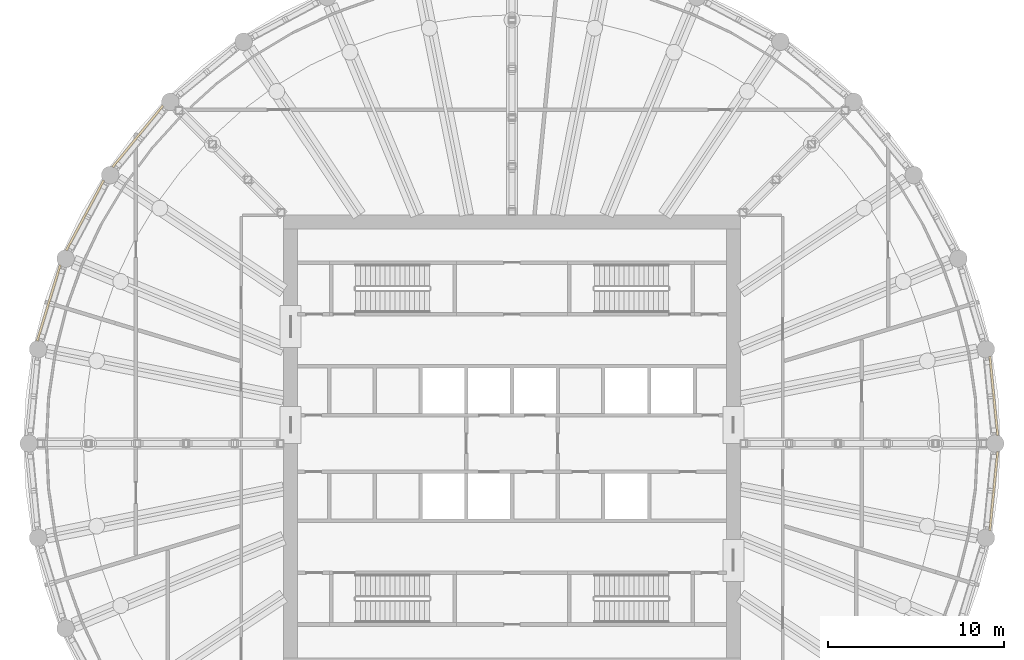
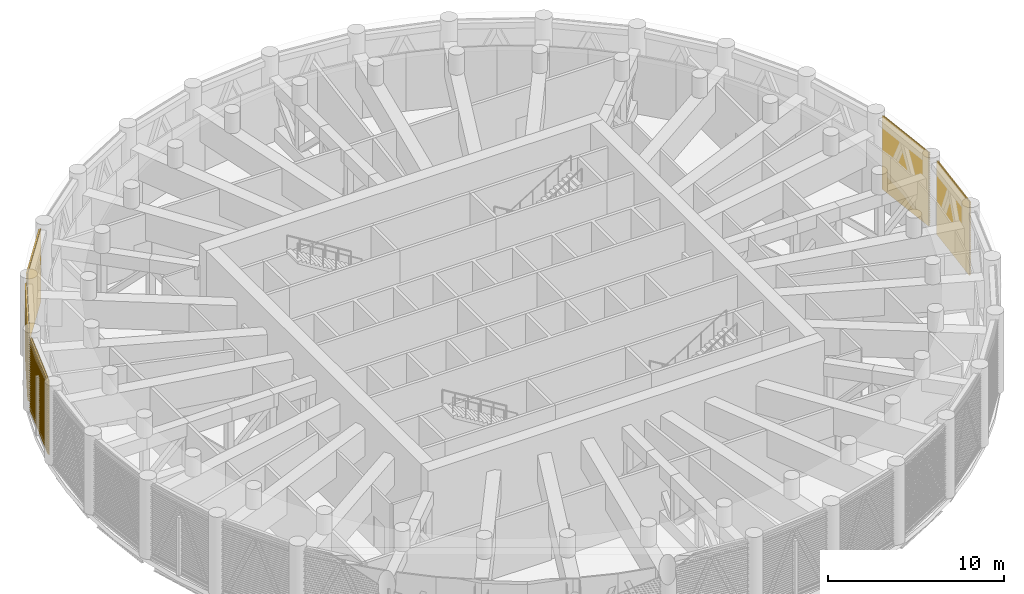
# One storey, part 21 of 24: 5 shading devices, 5 elements without a shape of their own.
"""IFC4 building model written with IfcOpenShell, lengths in metres."""

from ifc_helpers import new_model, si_unit, direction, frame, origin, place, context, subcontext, project, spatial, polyline, outline, extrude, material, material_profile, profile_set, type_object, element, aggregate, save


model = new_model("IFC4")

# Units and contexts
model_context = context("Model", 3, precision=1e-05, world=origin(), true_north=direction((0.0, 1.0)))
body_context = subcontext(model_context, "Body", "Model", "MODEL_VIEW")
ifc_project = project(units=[si_unit("LENGTHUNIT", "METRE"), si_unit("AREAUNIT", "SQUARE_METRE"), si_unit("VOLUMEUNIT", "CUBIC_METRE"), si_unit("PLANEANGLEUNIT", "RADIAN"), si_unit("MASSUNIT", "GRAM", prefix="KILO")], contexts=[model_context])

# Site, building, storey
site_placement = place(None, origin())
site = spatial("IfcSite", under=ifc_project, at=site_placement, CompositionType="ELEMENT")
building_placement = place(site_placement, origin())
building = spatial("IfcBuilding", under=site, at=building_placement, Name="Corvane Civic Tower", CompositionType="ELEMENT")
storey_placement = place(building_placement, frame((0.0, 0.0, 257.5)))
storey = spatial("IfcBuildingStorey", under=building, at=storey_placement, Name="L61", CompositionType="ELEMENT", Elevation=257.5)

# Curtain wall, shading device
ifc_material_1 = material(Name="Anodised aluminium bronze", Category="aluminium")
curtain_wall_type = type_object("IfcCurtainWallType", Name="TOWER CW-LV LOUVRE SCREEN WALL", PredefinedType="NOTDEFINED", material=ifc_material_1)
curtain_wall_1_placement = place(storey_placement, origin())
curtain_wall_1 = element("IfcCurtainWall", 1, at=curtain_wall_1_placement, inside=storey, type_object=curtain_wall_type, Name="Louvre screen wall CW-LV L61 bay 08", PredefinedType="NOTDEFINED")
ifc_material_2 = material(Name="Anodised aluminium bronze", Category="aluminium")
ifc_material_profile = material_profile(ifc_material_2, outline(polyline([(-0.06005859375, -2.56494140625), (-0.0400390625, -2.56494140625), (0.06005859375, -2.492919921875), (0.06005859375, -2.472900390625), (-0.0400390625, -2.544921875), (-0.0400390625, -2.4140625), (0.06005859375, -2.342041015625), (0.06005859375, -2.322021484375), (-0.0400390625, -2.39404296875), (-0.0400390625, -2.26318359375), (0.06005859375, -2.191162109375), (0.06005859375, -2.171142578125), (-0.0400390625, -2.2431640625), (-0.0400390625, -2.1123046875), (0.06005859375, -2.040283203125), (0.06005859375, -2.0205078125), (-0.0400390625, -2.09228515625), (-0.0400390625, -1.96142578125), (0.06005859375, -1.889404296875), (0.06005859375, -1.869384765625), (-0.0400390625, -1.94140625), (-0.0400390625, -1.810546875), (0.06005859375, -1.738525390625), (0.06005859375, -1.718505859375), (-0.0400390625, -1.79052734375), (-0.0400390625, -1.65966796875), (0.06005859375, -1.587646484375), (0.06005859375, -1.567626953125), (-0.0400390625, -1.6396484375), (-0.0400390625, -1.5087890625), (0.06005859375, -1.436767578125), (0.06005859375, -1.416748046875), (-0.0400390625, -1.48876953125), (-0.0400390625, -1.35791015625), (0.06005859375, -1.285888671875), (0.06005859375, -1.265869140625), (-0.0400390625, -1.337890625), (-0.0400390625, -1.20703125), (0.06005859375, -1.135009765625), (0.06005859375, -1.114990234375), (-0.0400390625, -1.18701171875), (-0.0400390625, -1.05615234375), (0.06005859375, -0.984130859375), (0.06005859375, -0.964111328125), (-0.0400390625, -1.0361328125), (-0.0400390625, -0.9052734375), (0.06005859375, -0.833251953125), (0.06005859375, -0.813232421875), (-0.0400390625, -0.88525390625), (-0.0400390625, -0.75439453125), (0.06005859375, -0.682373046875), (0.06005859375, -0.662353515625), (-0.0400390625, -0.734375), (-0.0400390625, -0.603515625), (0.06005859375, -0.531494140625), (0.06005859375, -0.511474609375), (-0.0400390625, -0.58349609375), (-0.0400390625, -0.45263671875), (0.06005859375, -0.380615234375), (0.06005859375, -0.360595703125), (-0.0400390625, -0.4326171875), (-0.0400390625, -0.3017578125), (0.06005859375, -0.229736328125), (0.06005859375, -0.209716796875), (-0.0400390625, -0.28173828125), (-0.0400390625, -0.15087890625), (0.06005859375, -0.078857421875), (0.06005859375, -0.058837890625), (-0.0400390625, -0.130859375), (-0.0400390625, 0.0), (0.06005859375, 0.072021484375), (0.06005859375, 0.092041015625), (-0.0400390625, 0.02001953125), (-0.0400390625, 0.15087890625), (0.06005859375, 0.222900390625), (0.06005859375, 0.242919921875), (-0.0400390625, 0.1708984375), (-0.0400390625, 0.3017578125), (0.06005859375, 0.373779296875), (0.06005859375, 0.393798828125), (-0.0400390625, 0.32177734375), (-0.0400390625, 0.45263671875), (0.06005859375, 0.524658203125), (0.06005859375, 0.544677734375), (-0.0400390625, 0.47265625), (-0.0400390625, 0.603515625), (0.06005859375, 0.675537109375), (0.06005859375, 0.695556640625), (-0.0400390625, 0.62353515625), (-0.0400390625, 0.75439453125), (0.06005859375, 0.826416015625), (0.06005859375, 0.846435546875), (-0.0400390625, 0.7744140625), (-0.0400390625, 0.9052734375), (0.06005859375, 0.977294921875), (0.06005859375, 0.997314453125), (-0.0400390625, 0.92529296875), (-0.0400390625, 1.05615234375), (0.06005859375, 1.128173828125), (0.06005859375, 1.148193359375), (-0.0400390625, 1.076171875), (-0.0400390625, 1.20703125), (0.06005859375, 1.279052734375), (0.06005859375, 1.299072265625), (-0.0400390625, 1.22705078125), (-0.0400390625, 1.35791015625), (0.06005859375, 1.429931640625), (0.06005859375, 1.449951171875), (-0.0400390625, 1.3779296875), (-0.0400390625, 1.5087890625), (0.06005859375, 1.580810546875), (0.06005859375, 1.600830078125), (-0.0400390625, 1.52880859375), (-0.0400390625, 1.65966796875), (0.06005859375, 1.731689453125), (0.06005859375, 1.751708984375), (-0.0400390625, 1.6796875), (-0.0400390625, 1.810546875), (0.06005859375, 1.882568359375), (0.06005859375, 1.902587890625), (-0.0400390625, 1.83056640625), (-0.0400390625, 1.96142578125), (0.06005859375, 2.033447265625), (0.06005859375, 2.053466796875), (-0.0400390625, 1.9814453125), (-0.0400390625, 2.1123046875), (0.06005859375, 2.184326171875), (0.06005859375, 2.204345703125), (-0.0400390625, 2.13232421875), (-0.0400390625, 2.26318359375), (0.06005859375, 2.335205078125), (0.06005859375, 2.355224609375), (-0.0400390625, 2.283203125), (-0.0400390625, 2.4140625), (0.06005859375, 2.486083984375), (0.06005859375, 2.506103515625), (-0.0400390625, 2.43408203125), (-0.0400390625, 2.56494140625), (-0.06005859375, 2.56494140625), (-0.06005859375, -2.56494140625)])), Name="TOWER LOUVRE BANK 5130 BRONZE")
ifc_profile_set = profile_set([ifc_material_profile], Name="Anodised aluminium bronze")
shading_device_type = type_object("IfcShadingDeviceType", Name="TOWER LOUVRE BANK 5130 BRONZE", PredefinedType="USERDEFINED", material=ifc_profile_set)
shading_device_1_placement = place(storey_placement, frame((27.192626953125, 4.94775390625, 2.68505859375), z_axis=(0.098042715701, -0.995182207386, 0.0), x_axis=(0.995182207386, 0.098042715701, 0.0)))
shading_device_1 = element("IfcShadingDevice", 2, at=shading_device_1_placement, type_object=shading_device_type, Name="Louvre bank L61 08.1", ObjectType="LOUVRE", PredefinedType="USERDEFINED", context=body_context, shape_type="SweptSolid", body=[
    extrude(outline(polyline([(-0.06005859375, -2.56494140625), (-0.0400390625, -2.56494140625), (0.06005859375, -2.492919921875), (0.06005859375, -2.472900390625), (-0.0400390625, -2.544921875), (-0.0400390625, -2.4140625), (0.06005859375, -2.342041015625), (0.06005859375, -2.322021484375), (-0.0400390625, -2.39404296875), (-0.0400390625, -2.26318359375), (0.06005859375, -2.191162109375), (0.06005859375, -2.171142578125), (-0.0400390625, -2.2431640625), (-0.0400390625, -2.1123046875), (0.06005859375, -2.040283203125), (0.06005859375, -2.0205078125), (-0.0400390625, -2.09228515625), (-0.0400390625, -1.96142578125), (0.06005859375, -1.889404296875), (0.06005859375, -1.869384765625), (-0.0400390625, -1.94140625), (-0.0400390625, -1.810546875), (0.06005859375, -1.738525390625), (0.06005859375, -1.718505859375), (-0.0400390625, -1.79052734375), (-0.0400390625, -1.65966796875), (0.06005859375, -1.587646484375), (0.06005859375, -1.567626953125), (-0.0400390625, -1.6396484375), (-0.0400390625, -1.5087890625), (0.06005859375, -1.436767578125), (0.06005859375, -1.416748046875), (-0.0400390625, -1.48876953125), (-0.0400390625, -1.35791015625), (0.06005859375, -1.285888671875), (0.06005859375, -1.265869140625), (-0.0400390625, -1.337890625), (-0.0400390625, -1.20703125), (0.06005859375, -1.135009765625), (0.06005859375, -1.114990234375), (-0.0400390625, -1.18701171875), (-0.0400390625, -1.05615234375), (0.06005859375, -0.984130859375), (0.06005859375, -0.964111328125), (-0.0400390625, -1.0361328125), (-0.0400390625, -0.9052734375), (0.06005859375, -0.833251953125), (0.06005859375, -0.813232421875), (-0.0400390625, -0.88525390625), (-0.0400390625, -0.75439453125), (0.06005859375, -0.682373046875), (0.06005859375, -0.662353515625), (-0.0400390625, -0.734375), (-0.0400390625, -0.603515625), (0.06005859375, -0.531494140625), (0.06005859375, -0.511474609375), (-0.0400390625, -0.58349609375), (-0.0400390625, -0.45263671875), (0.06005859375, -0.380615234375), (0.06005859375, -0.360595703125), (-0.0400390625, -0.4326171875), (-0.0400390625, -0.3017578125), (0.06005859375, -0.229736328125), (0.06005859375, -0.209716796875), (-0.0400390625, -0.28173828125), (-0.0400390625, -0.15087890625), (0.06005859375, -0.078857421875), (0.06005859375, -0.058837890625), (-0.0400390625, -0.130859375), (-0.0400390625, 0.0), (0.06005859375, 0.072021484375), (0.06005859375, 0.092041015625), (-0.0400390625, 0.02001953125), (-0.0400390625, 0.15087890625), (0.06005859375, 0.222900390625), (0.06005859375, 0.242919921875), (-0.0400390625, 0.1708984375), (-0.0400390625, 0.3017578125), (0.06005859375, 0.373779296875), (0.06005859375, 0.393798828125), (-0.0400390625, 0.32177734375), (-0.0400390625, 0.45263671875), (0.06005859375, 0.524658203125), (0.06005859375, 0.544677734375), (-0.0400390625, 0.47265625), (-0.0400390625, 0.603515625), (0.06005859375, 0.675537109375), (0.06005859375, 0.695556640625), (-0.0400390625, 0.62353515625), (-0.0400390625, 0.75439453125), (0.06005859375, 0.826416015625), (0.06005859375, 0.846435546875), (-0.0400390625, 0.7744140625), (-0.0400390625, 0.9052734375), (0.06005859375, 0.977294921875), (0.06005859375, 0.997314453125), (-0.0400390625, 0.92529296875), (-0.0400390625, 1.05615234375), (0.06005859375, 1.128173828125), (0.06005859375, 1.148193359375), (-0.0400390625, 1.076171875), (-0.0400390625, 1.20703125), (0.06005859375, 1.279052734375), (0.06005859375, 1.299072265625), (-0.0400390625, 1.22705078125), (-0.0400390625, 1.35791015625), (0.06005859375, 1.429931640625), (0.06005859375, 1.449951171875), (-0.0400390625, 1.3779296875), (-0.0400390625, 1.5087890625), (0.06005859375, 1.580810546875), (0.06005859375, 1.600830078125), (-0.0400390625, 1.52880859375), (-0.0400390625, 1.65966796875), (0.06005859375, 1.731689453125), (0.06005859375, 1.751708984375), (-0.0400390625, 1.6796875), (-0.0400390625, 1.810546875), (0.06005859375, 1.882568359375), (0.06005859375, 1.902587890625), (-0.0400390625, 1.83056640625), (-0.0400390625, 1.96142578125), (0.06005859375, 2.033447265625), (0.06005859375, 2.053466796875), (-0.0400390625, 1.9814453125), (-0.0400390625, 2.1123046875), (0.06005859375, 2.184326171875), (0.06005859375, 2.204345703125), (-0.0400390625, 2.13232421875), (-0.0400390625, 2.26318359375), (0.06005859375, 2.335205078125), (0.06005859375, 2.355224609375), (-0.0400390625, 2.283203125), (-0.0400390625, 2.4140625), (0.06005859375, 2.486083984375), (0.06005859375, 2.506103515625), (-0.0400390625, 2.43408203125), (-0.0400390625, 2.56494140625), (-0.06005859375, 2.56494140625), (-0.06005859375, -2.56494140625)])), origin(), (0.0, 0.0, 1.0), 4.51708984375),
])
aggregate(curtain_wall_1, [shading_device_1])

curtain_wall_2_placement = place(storey_placement, origin())
curtain_wall_2 = element("IfcCurtainWall", 3, at=curtain_wall_2_placement, inside=storey, type_object=curtain_wall_type, Name="Louvre screen wall CW-LV L61 bay 09", PredefinedType="NOTDEFINED")
shading_device_2_placement = place(storey_placement, frame((27.635498046875, -0.452392578125, 2.68505859375), z_axis=(-0.098042715701, -0.995182207386, 0.0), x_axis=(0.995182207386, -0.098042715701, 0.0)))
shading_device_2 = element("IfcShadingDevice", 4, at=shading_device_2_placement, type_object=shading_device_type, Name="Louvre bank L61 09.1", ObjectType="LOUVRE", PredefinedType="USERDEFINED", context=body_context, shape_type="SweptSolid", body=[
    extrude(outline(polyline([(-0.06005859375, -2.56494140625), (-0.0400390625, -2.56494140625), (0.06005859375, -2.492919921875), (0.06005859375, -2.472900390625), (-0.0400390625, -2.544921875), (-0.0400390625, -2.4140625), (0.06005859375, -2.342041015625), (0.06005859375, -2.322021484375), (-0.0400390625, -2.39404296875), (-0.0400390625, -2.26318359375), (0.06005859375, -2.191162109375), (0.06005859375, -2.171142578125), (-0.0400390625, -2.2431640625), (-0.0400390625, -2.1123046875), (0.06005859375, -2.040283203125), (0.06005859375, -2.0205078125), (-0.0400390625, -2.09228515625), (-0.0400390625, -1.96142578125), (0.06005859375, -1.889404296875), (0.06005859375, -1.869384765625), (-0.0400390625, -1.94140625), (-0.0400390625, -1.810546875), (0.06005859375, -1.738525390625), (0.06005859375, -1.718505859375), (-0.0400390625, -1.79052734375), (-0.0400390625, -1.65966796875), (0.06005859375, -1.587646484375), (0.06005859375, -1.567626953125), (-0.0400390625, -1.6396484375), (-0.0400390625, -1.5087890625), (0.06005859375, -1.436767578125), (0.06005859375, -1.416748046875), (-0.0400390625, -1.48876953125), (-0.0400390625, -1.35791015625), (0.06005859375, -1.285888671875), (0.06005859375, -1.265869140625), (-0.0400390625, -1.337890625), (-0.0400390625, -1.20703125), (0.06005859375, -1.135009765625), (0.06005859375, -1.114990234375), (-0.0400390625, -1.18701171875), (-0.0400390625, -1.05615234375), (0.06005859375, -0.984130859375), (0.06005859375, -0.964111328125), (-0.0400390625, -1.0361328125), (-0.0400390625, -0.9052734375), (0.06005859375, -0.833251953125), (0.06005859375, -0.813232421875), (-0.0400390625, -0.88525390625), (-0.0400390625, -0.75439453125), (0.06005859375, -0.682373046875), (0.06005859375, -0.662353515625), (-0.0400390625, -0.734375), (-0.0400390625, -0.603515625), (0.06005859375, -0.531494140625), (0.06005859375, -0.511474609375), (-0.0400390625, -0.58349609375), (-0.0400390625, -0.45263671875), (0.06005859375, -0.380615234375), (0.06005859375, -0.360595703125), (-0.0400390625, -0.4326171875), (-0.0400390625, -0.3017578125), (0.06005859375, -0.229736328125), (0.06005859375, -0.209716796875), (-0.0400390625, -0.28173828125), (-0.0400390625, -0.15087890625), (0.06005859375, -0.078857421875), (0.06005859375, -0.058837890625), (-0.0400390625, -0.130859375), (-0.0400390625, 0.0), (0.06005859375, 0.072021484375), (0.06005859375, 0.092041015625), (-0.0400390625, 0.02001953125), (-0.0400390625, 0.15087890625), (0.06005859375, 0.222900390625), (0.06005859375, 0.242919921875), (-0.0400390625, 0.1708984375), (-0.0400390625, 0.3017578125), (0.06005859375, 0.373779296875), (0.06005859375, 0.393798828125), (-0.0400390625, 0.32177734375), (-0.0400390625, 0.45263671875), (0.06005859375, 0.524658203125), (0.06005859375, 0.544677734375), (-0.0400390625, 0.47265625), (-0.0400390625, 0.603515625), (0.06005859375, 0.675537109375), (0.06005859375, 0.695556640625), (-0.0400390625, 0.62353515625), (-0.0400390625, 0.75439453125), (0.06005859375, 0.826416015625), (0.06005859375, 0.846435546875), (-0.0400390625, 0.7744140625), (-0.0400390625, 0.9052734375), (0.06005859375, 0.977294921875), (0.06005859375, 0.997314453125), (-0.0400390625, 0.92529296875), (-0.0400390625, 1.05615234375), (0.06005859375, 1.128173828125), (0.06005859375, 1.148193359375), (-0.0400390625, 1.076171875), (-0.0400390625, 1.20703125), (0.06005859375, 1.279052734375), (0.06005859375, 1.299072265625), (-0.0400390625, 1.22705078125), (-0.0400390625, 1.35791015625), (0.06005859375, 1.429931640625), (0.06005859375, 1.449951171875), (-0.0400390625, 1.3779296875), (-0.0400390625, 1.5087890625), (0.06005859375, 1.580810546875), (0.06005859375, 1.600830078125), (-0.0400390625, 1.52880859375), (-0.0400390625, 1.65966796875), (0.06005859375, 1.731689453125), (0.06005859375, 1.751708984375), (-0.0400390625, 1.6796875), (-0.0400390625, 1.810546875), (0.06005859375, 1.882568359375), (0.06005859375, 1.902587890625), (-0.0400390625, 1.83056640625), (-0.0400390625, 1.96142578125), (0.06005859375, 2.033447265625), (0.06005859375, 2.053466796875), (-0.0400390625, 1.9814453125), (-0.0400390625, 2.1123046875), (0.06005859375, 2.184326171875), (0.06005859375, 2.204345703125), (-0.0400390625, 2.13232421875), (-0.0400390625, 2.26318359375), (0.06005859375, 2.335205078125), (0.06005859375, 2.355224609375), (-0.0400390625, 2.283203125), (-0.0400390625, 2.4140625), (0.06005859375, 2.486083984375), (0.06005859375, 2.506103515625), (-0.0400390625, 2.43408203125), (-0.0400390625, 2.56494140625), (-0.06005859375, 2.56494140625), (-0.06005859375, -2.56494140625)])), origin(), (0.0, 0.0, 1.0), 4.51708984375),
])
aggregate(curtain_wall_2, [shading_device_2])

curtain_wall_3_placement = place(storey_placement, origin())
curtain_wall_3 = element("IfcCurtainWall", 5, at=curtain_wall_3_placement, inside=storey, type_object=curtain_wall_type, Name="Louvre screen wall CW-LV L61 bay 26", PredefinedType="NOTDEFINED")
shading_device_3_placement = place(storey_placement, frame((-27.016357421875, 5.8349609375, 2.68505859375), z_axis=(0.2902818869, 0.956941182173, 0.0), x_axis=(-0.956941182173, 0.2902818869, 0.0)))
shading_device_3 = element("IfcShadingDevice", 6, at=shading_device_3_placement, type_object=shading_device_type, Name="Louvre bank L61 26.1", ObjectType="LOUVRE", PredefinedType="USERDEFINED", context=body_context, shape_type="SweptSolid", body=[
    extrude(outline(polyline([(-0.06005859375, -2.56494140625), (-0.0400390625, -2.56494140625), (0.06005859375, -2.492919921875), (0.06005859375, -2.472900390625), (-0.0400390625, -2.544921875), (-0.0400390625, -2.4140625), (0.06005859375, -2.342041015625), (0.06005859375, -2.322021484375), (-0.0400390625, -2.39404296875), (-0.0400390625, -2.26318359375), (0.06005859375, -2.191162109375), (0.06005859375, -2.171142578125), (-0.0400390625, -2.2431640625), (-0.0400390625, -2.1123046875), (0.06005859375, -2.040283203125), (0.06005859375, -2.0205078125), (-0.0400390625, -2.09228515625), (-0.0400390625, -1.96142578125), (0.06005859375, -1.889404296875), (0.06005859375, -1.869384765625), (-0.0400390625, -1.94140625), (-0.0400390625, -1.810546875), (0.06005859375, -1.738525390625), (0.06005859375, -1.718505859375), (-0.0400390625, -1.79052734375), (-0.0400390625, -1.65966796875), (0.06005859375, -1.587646484375), (0.06005859375, -1.567626953125), (-0.0400390625, -1.6396484375), (-0.0400390625, -1.5087890625), (0.06005859375, -1.436767578125), (0.06005859375, -1.416748046875), (-0.0400390625, -1.48876953125), (-0.0400390625, -1.35791015625), (0.06005859375, -1.285888671875), (0.06005859375, -1.265869140625), (-0.0400390625, -1.337890625), (-0.0400390625, -1.20703125), (0.06005859375, -1.135009765625), (0.06005859375, -1.114990234375), (-0.0400390625, -1.18701171875), (-0.0400390625, -1.05615234375), (0.06005859375, -0.984130859375), (0.06005859375, -0.964111328125), (-0.0400390625, -1.0361328125), (-0.0400390625, -0.9052734375), (0.06005859375, -0.833251953125), (0.06005859375, -0.813232421875), (-0.0400390625, -0.88525390625), (-0.0400390625, -0.75439453125), (0.06005859375, -0.682373046875), (0.06005859375, -0.662353515625), (-0.0400390625, -0.734375), (-0.0400390625, -0.603515625), (0.06005859375, -0.531494140625), (0.06005859375, -0.511474609375), (-0.0400390625, -0.58349609375), (-0.0400390625, -0.45263671875), (0.06005859375, -0.380615234375), (0.06005859375, -0.360595703125), (-0.0400390625, -0.4326171875), (-0.0400390625, -0.3017578125), (0.06005859375, -0.229736328125), (0.06005859375, -0.209716796875), (-0.0400390625, -0.28173828125), (-0.0400390625, -0.15087890625), (0.06005859375, -0.078857421875), (0.06005859375, -0.058837890625), (-0.0400390625, -0.130859375), (-0.0400390625, 0.0), (0.06005859375, 0.072021484375), (0.06005859375, 0.092041015625), (-0.0400390625, 0.02001953125), (-0.0400390625, 0.15087890625), (0.06005859375, 0.222900390625), (0.06005859375, 0.242919921875), (-0.0400390625, 0.1708984375), (-0.0400390625, 0.3017578125), (0.06005859375, 0.373779296875), (0.06005859375, 0.393798828125), (-0.0400390625, 0.32177734375), (-0.0400390625, 0.45263671875), (0.06005859375, 0.524658203125), (0.06005859375, 0.544677734375), (-0.0400390625, 0.47265625), (-0.0400390625, 0.603515625), (0.06005859375, 0.675537109375), (0.06005859375, 0.695556640625), (-0.0400390625, 0.62353515625), (-0.0400390625, 0.75439453125), (0.06005859375, 0.826416015625), (0.06005859375, 0.846435546875), (-0.0400390625, 0.7744140625), (-0.0400390625, 0.9052734375), (0.06005859375, 0.977294921875), (0.06005859375, 0.997314453125), (-0.0400390625, 0.92529296875), (-0.0400390625, 1.05615234375), (0.06005859375, 1.128173828125), (0.06005859375, 1.148193359375), (-0.0400390625, 1.076171875), (-0.0400390625, 1.20703125), (0.06005859375, 1.279052734375), (0.06005859375, 1.299072265625), (-0.0400390625, 1.22705078125), (-0.0400390625, 1.35791015625), (0.06005859375, 1.429931640625), (0.06005859375, 1.449951171875), (-0.0400390625, 1.3779296875), (-0.0400390625, 1.5087890625), (0.06005859375, 1.580810546875), (0.06005859375, 1.600830078125), (-0.0400390625, 1.52880859375), (-0.0400390625, 1.65966796875), (0.06005859375, 1.731689453125), (0.06005859375, 1.751708984375), (-0.0400390625, 1.6796875), (-0.0400390625, 1.810546875), (0.06005859375, 1.882568359375), (0.06005859375, 1.902587890625), (-0.0400390625, 1.83056640625), (-0.0400390625, 1.96142578125), (0.06005859375, 2.033447265625), (0.06005859375, 2.053466796875), (-0.0400390625, 1.9814453125), (-0.0400390625, 2.1123046875), (0.06005859375, 2.184326171875), (0.06005859375, 2.204345703125), (-0.0400390625, 2.13232421875), (-0.0400390625, 2.26318359375), (0.06005859375, 2.335205078125), (0.06005859375, 2.355224609375), (-0.0400390625, 2.283203125), (-0.0400390625, 2.4140625), (0.06005859375, 2.486083984375), (0.06005859375, 2.506103515625), (-0.0400390625, 2.43408203125), (-0.0400390625, 2.56494140625), (-0.06005859375, 2.56494140625), (-0.06005859375, -2.56494140625)])), origin(), (0.0, 0.0, 1.0), 4.517333984375),
])
aggregate(curtain_wall_3, [shading_device_3])

curtain_wall_4_placement = place(storey_placement, origin())
curtain_wall_4 = element("IfcCurtainWall", 7, at=curtain_wall_4_placement, inside=storey, type_object=curtain_wall_type, Name="Louvre screen wall CW-LV L61 bay 27", PredefinedType="NOTDEFINED")
shading_device_4_placement = place(storey_placement, frame((-25.35888671875, 10.993408203125, 2.68505859375), z_axis=(0.471390317183, 0.881924695689, 0.0), x_axis=(-0.881924695689, 0.471390317183, 0.0)))
shading_device_4 = element("IfcShadingDevice", 8, at=shading_device_4_placement, type_object=shading_device_type, Name="Louvre bank L61 27.1", ObjectType="LOUVRE", PredefinedType="USERDEFINED", context=body_context, shape_type="SweptSolid", body=[
    extrude(outline(polyline([(-0.06005859375, -2.56494140625), (-0.0400390625, -2.56494140625), (0.06005859375, -2.492919921875), (0.06005859375, -2.472900390625), (-0.0400390625, -2.544921875), (-0.0400390625, -2.4140625), (0.06005859375, -2.342041015625), (0.06005859375, -2.322021484375), (-0.0400390625, -2.39404296875), (-0.0400390625, -2.26318359375), (0.06005859375, -2.191162109375), (0.06005859375, -2.171142578125), (-0.0400390625, -2.2431640625), (-0.0400390625, -2.1123046875), (0.06005859375, -2.040283203125), (0.06005859375, -2.0205078125), (-0.0400390625, -2.09228515625), (-0.0400390625, -1.96142578125), (0.06005859375, -1.889404296875), (0.06005859375, -1.869384765625), (-0.0400390625, -1.94140625), (-0.0400390625, -1.810546875), (0.06005859375, -1.738525390625), (0.06005859375, -1.718505859375), (-0.0400390625, -1.79052734375), (-0.0400390625, -1.65966796875), (0.06005859375, -1.587646484375), (0.06005859375, -1.567626953125), (-0.0400390625, -1.6396484375), (-0.0400390625, -1.5087890625), (0.06005859375, -1.436767578125), (0.06005859375, -1.416748046875), (-0.0400390625, -1.48876953125), (-0.0400390625, -1.35791015625), (0.06005859375, -1.285888671875), (0.06005859375, -1.265869140625), (-0.0400390625, -1.337890625), (-0.0400390625, -1.20703125), (0.06005859375, -1.135009765625), (0.06005859375, -1.114990234375), (-0.0400390625, -1.18701171875), (-0.0400390625, -1.05615234375), (0.06005859375, -0.984130859375), (0.06005859375, -0.964111328125), (-0.0400390625, -1.0361328125), (-0.0400390625, -0.9052734375), (0.06005859375, -0.833251953125), (0.06005859375, -0.813232421875), (-0.0400390625, -0.88525390625), (-0.0400390625, -0.75439453125), (0.06005859375, -0.682373046875), (0.06005859375, -0.662353515625), (-0.0400390625, -0.734375), (-0.0400390625, -0.603515625), (0.06005859375, -0.531494140625), (0.06005859375, -0.511474609375), (-0.0400390625, -0.58349609375), (-0.0400390625, -0.45263671875), (0.06005859375, -0.380615234375), (0.06005859375, -0.360595703125), (-0.0400390625, -0.4326171875), (-0.0400390625, -0.3017578125), (0.06005859375, -0.229736328125), (0.06005859375, -0.209716796875), (-0.0400390625, -0.28173828125), (-0.0400390625, -0.15087890625), (0.06005859375, -0.078857421875), (0.06005859375, -0.058837890625), (-0.0400390625, -0.130859375), (-0.0400390625, 0.0), (0.06005859375, 0.072021484375), (0.06005859375, 0.092041015625), (-0.0400390625, 0.02001953125), (-0.0400390625, 0.15087890625), (0.06005859375, 0.222900390625), (0.06005859375, 0.242919921875), (-0.0400390625, 0.1708984375), (-0.0400390625, 0.3017578125), (0.06005859375, 0.373779296875), (0.06005859375, 0.393798828125), (-0.0400390625, 0.32177734375), (-0.0400390625, 0.45263671875), (0.06005859375, 0.524658203125), (0.06005859375, 0.544677734375), (-0.0400390625, 0.47265625), (-0.0400390625, 0.603515625), (0.06005859375, 0.675537109375), (0.06005859375, 0.695556640625), (-0.0400390625, 0.62353515625), (-0.0400390625, 0.75439453125), (0.06005859375, 0.826416015625), (0.06005859375, 0.846435546875), (-0.0400390625, 0.7744140625), (-0.0400390625, 0.9052734375), (0.06005859375, 0.977294921875), (0.06005859375, 0.997314453125), (-0.0400390625, 0.92529296875), (-0.0400390625, 1.05615234375), (0.06005859375, 1.128173828125), (0.06005859375, 1.148193359375), (-0.0400390625, 1.076171875), (-0.0400390625, 1.20703125), (0.06005859375, 1.279052734375), (0.06005859375, 1.299072265625), (-0.0400390625, 1.22705078125), (-0.0400390625, 1.35791015625), (0.06005859375, 1.429931640625), (0.06005859375, 1.449951171875), (-0.0400390625, 1.3779296875), (-0.0400390625, 1.5087890625), (0.06005859375, 1.580810546875), (0.06005859375, 1.600830078125), (-0.0400390625, 1.52880859375), (-0.0400390625, 1.65966796875), (0.06005859375, 1.731689453125), (0.06005859375, 1.751708984375), (-0.0400390625, 1.6796875), (-0.0400390625, 1.810546875), (0.06005859375, 1.882568359375), (0.06005859375, 1.902587890625), (-0.0400390625, 1.83056640625), (-0.0400390625, 1.96142578125), (0.06005859375, 2.033447265625), (0.06005859375, 2.053466796875), (-0.0400390625, 1.9814453125), (-0.0400390625, 2.1123046875), (0.06005859375, 2.184326171875), (0.06005859375, 2.204345703125), (-0.0400390625, 2.13232421875), (-0.0400390625, 2.26318359375), (0.06005859375, 2.335205078125), (0.06005859375, 2.355224609375), (-0.0400390625, 2.283203125), (-0.0400390625, 2.4140625), (0.06005859375, 2.486083984375), (0.06005859375, 2.506103515625), (-0.0400390625, 2.43408203125), (-0.0400390625, 2.56494140625), (-0.06005859375, 2.56494140625), (-0.06005859375, -2.56494140625)])), origin(), (0.0, 0.0, 1.0), 4.517333984375),
])
aggregate(curtain_wall_4, [shading_device_4])

curtain_wall_5_placement = place(storey_placement, origin())
curtain_wall_5 = element("IfcCurtainWall", 9, at=curtain_wall_5_placement, inside=storey, type_object=curtain_wall_type, Name="Louvre screen wall CW-LV L61 bay 28", PredefinedType="NOTDEFINED")
shading_device_5_placement = place(storey_placement, frame((-22.726806640625, 15.7294921875, 2.68505859375), z_axis=(0.634387834569, 0.773014925698, 0.0), x_axis=(-0.773014925698, 0.634387834569, 0.0)))
shading_device_5 = element("IfcShadingDevice", 10, at=shading_device_5_placement, type_object=shading_device_type, Name="Louvre bank L61 28.1", ObjectType="LOUVRE", PredefinedType="USERDEFINED", context=body_context, shape_type="SweptSolid", body=[
    extrude(outline(polyline([(-0.06005859375, -2.56494140625), (-0.0400390625, -2.56494140625), (0.06005859375, -2.492919921875), (0.06005859375, -2.472900390625), (-0.0400390625, -2.544921875), (-0.0400390625, -2.4140625), (0.06005859375, -2.342041015625), (0.06005859375, -2.322021484375), (-0.0400390625, -2.39404296875), (-0.0400390625, -2.26318359375), (0.06005859375, -2.191162109375), (0.06005859375, -2.171142578125), (-0.0400390625, -2.2431640625), (-0.0400390625, -2.1123046875), (0.06005859375, -2.040283203125), (0.06005859375, -2.0205078125), (-0.0400390625, -2.09228515625), (-0.0400390625, -1.96142578125), (0.06005859375, -1.889404296875), (0.06005859375, -1.869384765625), (-0.0400390625, -1.94140625), (-0.0400390625, -1.810546875), (0.06005859375, -1.738525390625), (0.06005859375, -1.718505859375), (-0.0400390625, -1.79052734375), (-0.0400390625, -1.65966796875), (0.06005859375, -1.587646484375), (0.06005859375, -1.567626953125), (-0.0400390625, -1.6396484375), (-0.0400390625, -1.5087890625), (0.06005859375, -1.436767578125), (0.06005859375, -1.416748046875), (-0.0400390625, -1.48876953125), (-0.0400390625, -1.35791015625), (0.06005859375, -1.285888671875), (0.06005859375, -1.265869140625), (-0.0400390625, -1.337890625), (-0.0400390625, -1.20703125), (0.06005859375, -1.135009765625), (0.06005859375, -1.114990234375), (-0.0400390625, -1.18701171875), (-0.0400390625, -1.05615234375), (0.06005859375, -0.984130859375), (0.06005859375, -0.964111328125), (-0.0400390625, -1.0361328125), (-0.0400390625, -0.9052734375), (0.06005859375, -0.833251953125), (0.06005859375, -0.813232421875), (-0.0400390625, -0.88525390625), (-0.0400390625, -0.75439453125), (0.06005859375, -0.682373046875), (0.06005859375, -0.662353515625), (-0.0400390625, -0.734375), (-0.0400390625, -0.603515625), (0.06005859375, -0.531494140625), (0.06005859375, -0.511474609375), (-0.0400390625, -0.58349609375), (-0.0400390625, -0.45263671875), (0.06005859375, -0.380615234375), (0.06005859375, -0.360595703125), (-0.0400390625, -0.4326171875), (-0.0400390625, -0.3017578125), (0.06005859375, -0.229736328125), (0.06005859375, -0.209716796875), (-0.0400390625, -0.28173828125), (-0.0400390625, -0.15087890625), (0.06005859375, -0.078857421875), (0.06005859375, -0.058837890625), (-0.0400390625, -0.130859375), (-0.0400390625, 0.0), (0.06005859375, 0.072021484375), (0.06005859375, 0.092041015625), (-0.0400390625, 0.02001953125), (-0.0400390625, 0.15087890625), (0.06005859375, 0.222900390625), (0.06005859375, 0.242919921875), (-0.0400390625, 0.1708984375), (-0.0400390625, 0.3017578125), (0.06005859375, 0.373779296875), (0.06005859375, 0.393798828125), (-0.0400390625, 0.32177734375), (-0.0400390625, 0.45263671875), (0.06005859375, 0.524658203125), (0.06005859375, 0.544677734375), (-0.0400390625, 0.47265625), (-0.0400390625, 0.603515625), (0.06005859375, 0.675537109375), (0.06005859375, 0.695556640625), (-0.0400390625, 0.62353515625), (-0.0400390625, 0.75439453125), (0.06005859375, 0.826416015625), (0.06005859375, 0.846435546875), (-0.0400390625, 0.7744140625), (-0.0400390625, 0.9052734375), (0.06005859375, 0.977294921875), (0.06005859375, 0.997314453125), (-0.0400390625, 0.92529296875), (-0.0400390625, 1.05615234375), (0.06005859375, 1.128173828125), (0.06005859375, 1.148193359375), (-0.0400390625, 1.076171875), (-0.0400390625, 1.20703125), (0.06005859375, 1.279052734375), (0.06005859375, 1.299072265625), (-0.0400390625, 1.22705078125), (-0.0400390625, 1.35791015625), (0.06005859375, 1.429931640625), (0.06005859375, 1.449951171875), (-0.0400390625, 1.3779296875), (-0.0400390625, 1.5087890625), (0.06005859375, 1.580810546875), (0.06005859375, 1.600830078125), (-0.0400390625, 1.52880859375), (-0.0400390625, 1.65966796875), (0.06005859375, 1.731689453125), (0.06005859375, 1.751708984375), (-0.0400390625, 1.6796875), (-0.0400390625, 1.810546875), (0.06005859375, 1.882568359375), (0.06005859375, 1.902587890625), (-0.0400390625, 1.83056640625), (-0.0400390625, 1.96142578125), (0.06005859375, 2.033447265625), (0.06005859375, 2.053466796875), (-0.0400390625, 1.9814453125), (-0.0400390625, 2.1123046875), (0.06005859375, 2.184326171875), (0.06005859375, 2.204345703125), (-0.0400390625, 2.13232421875), (-0.0400390625, 2.26318359375), (0.06005859375, 2.335205078125), (0.06005859375, 2.355224609375), (-0.0400390625, 2.283203125), (-0.0400390625, 2.4140625), (0.06005859375, 2.486083984375), (0.06005859375, 2.506103515625), (-0.0400390625, 2.43408203125), (-0.0400390625, 2.56494140625), (-0.06005859375, 2.56494140625), (-0.06005859375, -2.56494140625)])), origin(), (0.0, 0.0, 1.0), 4.517333984375),
])
aggregate(curtain_wall_5, [shading_device_5])

save(model, "model.ifc")
